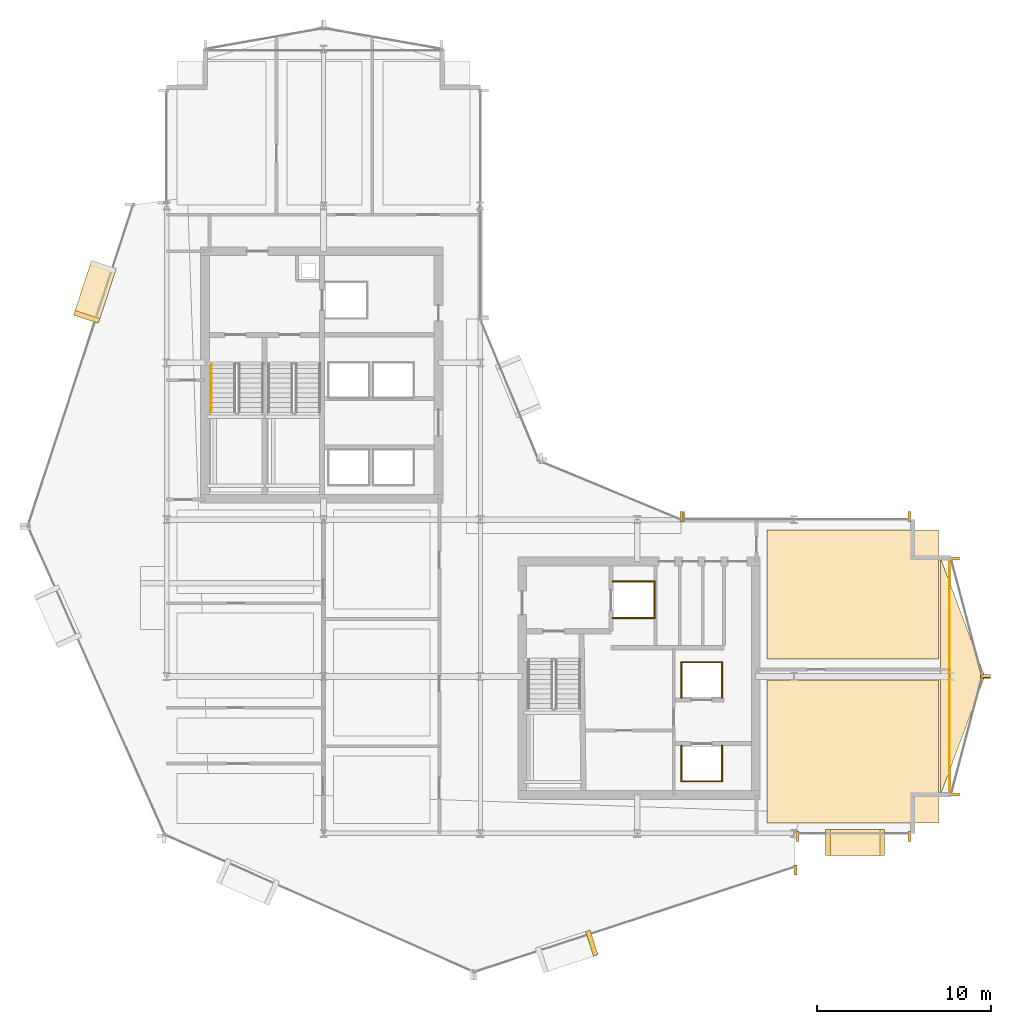
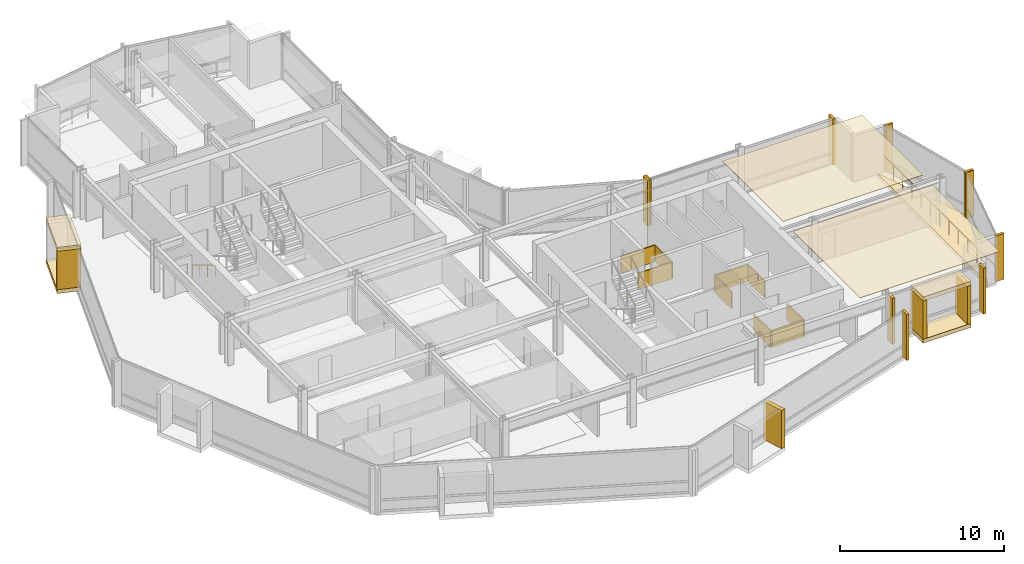
# One storey, part 27 of 28: 30 coverings, 2 railings.
"""IFC4 building model written with IfcOpenShell, lengths in metres."""

from ifc_helpers import new_model, si_unit, direction, frame, origin, origin_2d, place, context, subcontext, project, spatial, polyline, rectangle, circle, outline, extrude, material, layer, layer_set, type_object, element, save


model = new_model("IFC4")

# Units and contexts
model_context = context("Model", 3, precision=1e-05, world=origin(), true_north=direction((0.0, 1.0)))
body_context = subcontext(model_context, "Body", "Model", "MODEL_VIEW")
ifc_project = project(units=[si_unit("LENGTHUNIT", "METRE"), si_unit("AREAUNIT", "SQUARE_METRE"), si_unit("VOLUMEUNIT", "CUBIC_METRE"), si_unit("PLANEANGLEUNIT", "RADIAN"), si_unit("MASSUNIT", "GRAM", prefix="KILO")], contexts=[model_context])

# Site, building, storey
site_placement = place(None, origin())
site = spatial("IfcSite", under=ifc_project, at=site_placement, CompositionType="ELEMENT")
building_placement = place(site_placement, origin())
building = spatial("IfcBuilding", under=site, at=building_placement, Name="Solvaryn Broadcast Tower", CompositionType="ELEMENT")
storey_placement = place(building_placement, frame((0.0, 0.0, 132.199951171875)))
storey = spatial("IfcBuildingStorey", under=building, at=storey_placement, Name="L32", CompositionType="ELEMENT", Elevation=132.199951171875)

# Coverings
ifc_material_1 = material(Name="Micro-Perforated Acoustic Gypsum Ceiling", Category="concrete")
ifc_layer_1 = layer(ifc_material_1, 0.0400390625)
ifc_layer_set_1 = layer_set([ifc_layer_1], Name="CV-CEIL-ACOUSTIC")
covering_type_1 = type_object("IfcCoveringType", Name="CV-CEIL-ACOUSTIC", PredefinedType="CEILING", material=ifc_layer_set_1)
covering_1_placement = place(storey_placement, frame((0.0, 0.0, 3.380126953125)))
element("IfcCovering", 1, at=covering_1_placement, inside=storey, type_object=covering_type_1, Name="L32 Room Acoustic Ceiling 11", PredefinedType="CEILING", context=body_context, shape_type="SweptSolid", body=[
    extrude(outline(polyline([(43.449951171875, 9.60009765625), (53.300048828125, 9.60009765625), (53.300048828125, 17.800048828125), (43.449951171875, 17.800048828125), (43.449951171875, 9.60009765625)])), origin(), (0.0, 0.0, 1.0), 0.0400390625),
])
covering_2_placement = place(storey_placement, frame((0.0, 0.0, 3.380126953125)))
element("IfcCovering", 2, at=covering_2_placement, inside=storey, type_object=covering_type_1, Name="L32 Room Acoustic Ceiling 12", PredefinedType="CEILING", context=body_context, shape_type="SweptSolid", body=[
    extrude(outline(polyline([(43.449951171875, 19.0), (53.300048828125, 19.0), (53.300048828125, 26.39990234375), (43.449951171875, 26.39990234375), (43.449951171875, 19.0)])), origin(), (0.0, 0.0, 1.0), 0.0400390625),
])
ifc_material_2 = material(Name="Fire-Rated Gypsum Shaftwall Liner", Category="concrete")
ifc_layer_2 = layer(ifc_material_2, 0.080078125)
ifc_layer_set_2 = layer_set([ifc_layer_2], Name="CV-SHAFT-LINER")
covering_type_2 = type_object("IfcCoveringType", Name="CV-SHAFT-LINER", PredefinedType="CLADDING", material=ifc_layer_set_2)
for number, where, z_axis, x_axis, name in (
    (3, (35.800048828125, 23.43994140625, 0.0), (0.0, 0.0, 1.0), (1.0, 0.0, 0.0), "L32 FL2 Hoistway Shaft Liner North"),
    (4, (35.800048828125, 21.360107421875, 0.0), (0.0, 0.0, 1.0), (1.0, 0.0, 0.0), "L32 FL2 Hoistway Shaft Liner South"),
):
    element("IfcCovering", number, at=place(storey_placement, frame(where, z_axis=z_axis, x_axis=x_axis)), inside=storey, type_object=covering_type_2, Name=name, PredefinedType="CLADDING", context=body_context, shape_type="SweptSolid", body=[
        extrude(rectangle(XDim=2.4599609375, YDim=0.080078125, at=origin_2d()), origin(), (0.0, 0.0, 1.0), 1.25),
    ])
covering_3_placement = place(storey_placement, frame((36.989990234375, 22.39990234375, 0.0), z_axis=(0.0, 0.0, 1.0), x_axis=(1.0, 0.0, 0.0)))
element("IfcCovering", 5, at=covering_3_placement, inside=storey, type_object=covering_type_2, Name="L32 FL2 Hoistway Shaft Liner East", PredefinedType="CLADDING", context=body_context, shape_type="SweptSolid", body=[
    extrude(rectangle(XDim=0.080078125, YDim=2.159912109375, at=origin_2d()), origin(), (0.0, 0.0, 1.0), 1.25),
])
covering_4_placement = place(storey_placement, frame((39.699951171875, 11.985107421875, 0.0), z_axis=(0.0, 0.0, 1.0), x_axis=(1.0, 0.0, 0.0)))
element("IfcCovering", 6, at=covering_4_placement, inside=storey, type_object=covering_type_2, Name="L32 PM1 Hoistway Shaft Liner South", PredefinedType="CLADDING", context=body_context, shape_type="SweptSolid", body=[
    extrude(rectangle(XDim=2.409912109375, YDim=0.080078125, at=origin_2d()), origin(), (0.0, 0.0, 1.0), 1.25),
])
for number, where, z_axis, x_axis, name in (
    (7, (40.864990234375, 13.0, 0.0), (0.0, 0.0, 1.0), (1.0, 0.0, 0.0), "L32 PM1 Hoistway Shaft Liner East"),
    (8, (38.534912109375, 13.0, 0.0), (0.0, 0.0, 1.0), (1.0, 0.0, 0.0), "L32 PM1 Hoistway Shaft Liner West"),
):
    element("IfcCovering", number, at=place(storey_placement, frame(where, z_axis=z_axis, x_axis=x_axis)), inside=storey, type_object=covering_type_2, Name=name, PredefinedType="CLADDING", context=body_context, shape_type="SweptSolid", body=[
        extrude(rectangle(XDim=0.080078125, YDim=2.110107421875, at=origin_2d()), origin(), (0.0, 0.0, 1.0), 1.25),
    ])
covering_5_placement = place(storey_placement, frame((39.699951171875, 18.81494140625, 0.0), z_axis=(0.0, 0.0, 1.0), x_axis=(1.0, 0.0, 0.0)))
element("IfcCovering", 9, at=covering_5_placement, inside=storey, type_object=covering_type_2, Name="L32 PM2 Hoistway Shaft Liner North", PredefinedType="CLADDING", context=body_context, shape_type="SweptSolid", body=[
    extrude(rectangle(XDim=2.409912109375, YDim=0.080078125, at=origin_2d()), origin(), (0.0, 0.0, 1.0), 1.25),
])
for number, where, z_axis, x_axis, name in (
    (10, (40.864990234375, 17.800048828125, 0.0), (0.0, 0.0, 1.0), (1.0, 0.0, 0.0), "L32 PM2 Hoistway Shaft Liner East"),
    (11, (38.534912109375, 17.800048828125, 0.0), (0.0, 0.0, 1.0), (1.0, 0.0, 0.0), "L32 PM2 Hoistway Shaft Liner West"),
):
    element("IfcCovering", number, at=place(storey_placement, frame(where, z_axis=z_axis, x_axis=x_axis)), inside=storey, type_object=covering_type_2, Name=name, PredefinedType="CLADDING", context=body_context, shape_type="SweptSolid", body=[
        extrude(rectangle(XDim=0.080078125, YDim=2.110107421875, at=origin_2d()), origin(), (0.0, 0.0, 1.0), 1.25),
    ])
ifc_material_3 = material(Name="Glazed Architectural Terracotta Rainscreen Cladding", Category="masonry")
ifc_layer_3 = layer(ifc_material_3, 0.280029296875)
ifc_layer_set_3 = layer_set([ifc_layer_3], Name="CV-TC-CLAD")
covering_type_3 = type_object("IfcCoveringType", Name="CV-TC-CLAD", PredefinedType="CLADDING", material=ifc_layer_set_3)
for number, where, z_axis, x_axis, name in (
    (12, (4.883056640625, 40.071044921875, 3.1298828125), (0.0, 0.0, 1.0), (-0.311671636848, -0.950189870912, 0.0), "L32 Projecting Stone Window Box Hood 1"),
    (13, (4.883056640625, 40.071044921875, -0.009765625), (0.0, 0.0, 1.0), (-0.311671636848, -0.950189870912, 0.0), "L32 Projecting Stone Window Box Sill 1"),
):
    element("IfcCovering", number, at=place(storey_placement, frame(where, z_axis=z_axis, x_axis=x_axis)), inside=storey, type_object=covering_type_3, Name=name, PredefinedType="CLADDING", context=body_context, shape_type="SweptSolid", body=[
        extrude(rectangle(XDim=3.300048828125, YDim=1.5, at=origin_2d()), origin(), (0.0, 0.0, 1.0), 0.300048828125),
    ])
for number, where, z_axis, x_axis, name in (
    (14, (4.412353515625, 38.63623046875, 0.27978515625), (0.0, 0.0, 1.0), (-0.311671636848, -0.950189870912, 0.0), "L32 Projecting Stone Window Box Cheek 1-2"),
    (15, (33.396728515625, 2.693603515625, 0.27978515625), (0.0, 0.0, 1.0), (0.950189870912, 0.311671636848, 0.0), "L32 Projecting Stone Window Box Cheek 4-2"),
):
    element("IfcCovering", number, at=place(storey_placement, frame(where, z_axis=z_axis, x_axis=x_axis)), inside=storey, type_object=covering_type_3, Name=name, PredefinedType="CLADDING", context=body_context, shape_type="SweptSolid", body=[
        extrude(rectangle(XDim=0.280029296875, YDim=1.5, at=origin_2d()), origin(), (0.0, 0.0, 1.0), 2.860107421875),
    ])
for number, where, z_axis, x_axis, name in (
    (16, (48.5, 8.469970703125, 3.1298828125), (0.0, 0.0, 1.0), (1.0, 0.0, 0.0), "L32 Projecting Stone Window Box Hood 6"),
    (17, (48.5, 8.469970703125, -0.009765625), (0.0, 0.0, 1.0), (1.0, 0.0, 0.0), "L32 Projecting Stone Window Box Sill 6"),
):
    element("IfcCovering", number, at=place(storey_placement, frame(where, z_axis=z_axis, x_axis=x_axis)), inside=storey, type_object=covering_type_3, Name=name, PredefinedType="CLADDING", context=body_context, shape_type="SweptSolid", body=[
        extrude(rectangle(XDim=3.39990234375, YDim=1.5, at=origin_2d()), origin(), (0.0, 0.0, 1.0), 0.300048828125),
    ])
for number, where, z_axis, x_axis, name in (
    (18, (46.93994140625, 8.469970703125, 0.27978515625), (0.0, 0.0, 1.0), (1.0, 0.0, 0.0), "L32 Projecting Stone Window Box Cheek 6-1"),
    (19, (50.06005859375, 8.469970703125, 0.27978515625), (0.0, 0.0, 1.0), (1.0, 0.0, 0.0), "L32 Projecting Stone Window Box Cheek 6-2"),
):
    element("IfcCovering", number, at=place(storey_placement, frame(where, z_axis=z_axis, x_axis=x_axis)), inside=storey, type_object=covering_type_3, Name=name, PredefinedType="CLADDING", context=body_context, shape_type="SweptSolid", body=[
        extrude(rectangle(XDim=0.280029296875, YDim=1.5, at=origin_2d()), origin(), (0.0, 0.0, 1.0), 2.860107421875),
    ])
ifc_material_4 = material(Name="Extruded Architectural Terracotta Fin", Category="masonry")
ifc_layer_4 = layer(ifc_material_4, 0.179931640625)
ifc_layer_set_4 = layer_set([ifc_layer_4], Name="CV-TC-FIN")
covering_type_4 = type_object("IfcCoveringType", Name="CV-TC-FIN", PredefinedType="USERDEFINED", material=ifc_layer_set_4)
for number, where, z_axis, x_axis, name in (
    (20, (45.0947265625, 6.898681640625, 0.0), (0.0, 0.0, 1.0), (1.0, 0.0, 0.0), "L32 Terracotta Vertical Fin FIN-L32-DR4-M01"),
    (21, (38.541259765625, 27.177978515625, 0.0), (0.0, 0.0, 1.0), (1.0, 0.0, 0.0), "L32 Terracotta Vertical Fin FIN-L32-CN1-M00"),
    (22, (45.197021484375, 8.8125, 0.0), (0.0, 0.0, 1.0), (1.0, 0.0, 0.0), "L32 Terracotta Vertical Fin FIN-L32-S2-M00"),
    (23, (51.6201171875, 8.8125, 0.0), (0.0, 0.0, 1.0), (1.0, 0.0, 0.0), "L32 Terracotta Vertical Fin FIN-L32-S2-M01"),
):
    element("IfcCovering", number, at=place(storey_placement, frame(where, z_axis=z_axis, x_axis=x_axis)), inside=storey, type_object=covering_type_4, Name=name, ObjectType="FIN", PredefinedType="USERDEFINED", context=body_context, shape_type="SweptSolid", body=[
        extrude(rectangle(XDim=0.179931640625, YDim=0.580078125, at=origin_2d()), origin(), (0.0, 0.0, 1.0), 3.419921875),
    ])
for number, where, z_axis, x_axis, name in (
    (24, (54.1953125, 24.77099609375, 0.0), (0.0, 0.0, 1.0), (1.0, 0.0, 0.0), "L32 Terracotta Vertical Fin FIN-L32-ET1-M00"),
    (25, (55.979736328125, 18.029052734375, 0.0), (0.0, 0.0, 1.0), (1.0, 0.0, 0.0), "L32 Terracotta Vertical Fin FIN-L32-ET1-M01"),
    (26, (55.979736328125, 17.970947265625, 0.0), (0.0, 0.0, 1.0), (1.0, 0.0, 0.0), "L32 Terracotta Vertical Fin FIN-L32-ET2-M00"),
    (27, (54.1953125, 11.22900390625, 0.0), (0.0, 0.0, 1.0), (1.0, 0.0, 0.0), "L32 Terracotta Vertical Fin FIN-L32-ET2-M01"),
):
    element("IfcCovering", number, at=place(storey_placement, frame(where, z_axis=z_axis, x_axis=x_axis)), inside=storey, type_object=covering_type_4, Name=name, ObjectType="FIN", PredefinedType="USERDEFINED", context=body_context, shape_type="SweptSolid", body=[
        extrude(rectangle(XDim=0.580078125, YDim=0.179931640625, at=origin_2d()), origin(), (0.0, 0.0, 1.0), 3.419921875),
    ])
for number, where, z_axis, x_axis, name in (
    (28, (38.6298828125, 27.1875, 0.0), (0.0, 0.0, 1.0), (1.0, 0.0, 0.0), "L32 Terracotta Vertical Fin FIN-L32-IH-M00"),
    (29, (51.6201171875, 27.1875, 0.0), (0.0, 0.0, 1.0), (1.0, 0.0, 0.0), "L32 Terracotta Vertical Fin FIN-L32-IH-M01"),
):
    element("IfcCovering", number, at=place(storey_placement, frame(where, z_axis=z_axis, x_axis=x_axis)), inside=storey, type_object=covering_type_4, Name=name, ObjectType="FIN", PredefinedType="USERDEFINED", context=body_context, shape_type="SweptSolid", body=[
        extrude(rectangle(XDim=0.179931640625, YDim=0.580078125, at=origin_2d()), origin(), (0.0, 0.0, 1.0), 3.419921875),
    ])
ifc_material_5 = material(Name="Sculpted Architectural Terracotta Wave Fascia", Category="masonry")
ifc_layer_5 = layer(ifc_material_5, 0.340087890625)
ifc_layer_set_5 = layer_set([ifc_layer_5], Name="CV-WAVE-TRAY")
covering_type_5 = type_object("IfcCoveringType", Name="CV-WAVE-TRAY", PredefinedType="CLADDING", material=ifc_layer_set_5)
covering_6_placement = place(storey_placement, frame((0.0, 0.0, -0.300048828125)))
element("IfcCovering", 30, at=covering_6_placement, inside=storey, type_object=covering_type_5, Name="L32 East Curved Wing Deck", PredefinedType="CLADDING", context=body_context, shape_type="SweptSolid", body=[
    extrude(outline(polyline([(53.39990234375, 11.199951171875), (55.949951171875, 18.0), (53.39990234375, 24.800048828125), (53.39990234375, 11.199951171875)])), origin(), (0.0, 0.0, 1.0), 0.330078125),
])

# Railings
ifc_material_6 = material(Name="Brushed Stainless Steel Tubular Handrail", Category="steel")
railing_type_1 = type_object("IfcRailingType", Name="RL-STAIR-HANDRAIL", PredefinedType="HANDRAIL", material=ifc_material_6)
railing_1_placement = place(storey_placement, frame((11.570068359375, 35.9599609375, 0.168212890625)))
element("IfcRailing", 31, at=railing_1_placement, inside=storey, type_object=railing_type_1, Name="L32 ST1 stair handrail 1", PredefinedType="HANDRAIL", context=body_context, shape_type="SweptSolid", body=[
    extrude(circle(Radius=0.02392578125, at=origin_2d()), frame((0.0, 0.0, 0.8759765625), z_axis=(0.0, -0.857242210791, 0.514913383045), x_axis=(1.0, 0.0, 0.0)), (0.0, 0.0, 1.0), 3.266357421875),
    extrude(circle(Radius=0.02099609375, at=origin_2d()), origin(), (0.0, 0.0, 1.0), 0.851806640625),
    extrude(circle(Radius=0.02099609375, at=origin_2d()), frame((0.0, -0.933349609375, 0.560546875)), (0.0, 0.0, 1.0), 0.851806640625),
    extrude(circle(Radius=0.02099609375, at=origin_2d()), frame((0.0, -1.86669921875, 1.121337890625)), (0.0, 0.0, 1.0), 0.851806640625),
    extrude(circle(Radius=0.02099609375, at=origin_2d()), frame((0.0, -2.800048828125, 1.681884765625)), (0.0, 0.0, 1.0), 0.851806640625),
])
ifc_material_7 = material(Name="Stainless Steel and Laminated Glass Guard", Category="steel")
railing_type_2 = type_object("IfcRailingType", Name="RL-TER-1150", PredefinedType="BALUSTRADE", material=ifc_material_7)
railing_2_placement = place(storey_placement, frame((53.919921875, 11.199951171875, 0.0)))
element("IfcRailing", 32, at=railing_2_placement, inside=storey, type_object=railing_type_2, Name="L32 East Wing Spandrel Edge Guard", PredefinedType="BALUSTRADE", context=body_context, shape_type="SweptSolid", body=[
    extrude(circle(Radius=0.02392578125, at=origin_2d()), frame((0.0, 0.0, 1.1259765625), z_axis=(0.0, 1.0, 0.0), x_axis=(-1.0, 0.0, 0.0)), (0.0, 0.0, 1.0), 13.60009765625),
    extrude(circle(Radius=0.02099609375, at=origin_2d()), origin(), (0.0, 0.0, 1.0), 1.101806640625),
    extrude(circle(Radius=0.02099609375, at=origin_2d()), frame((0.0, 1.13330078125, 0.0)), (0.0, 0.0, 1.0), 1.101806640625),
    extrude(circle(Radius=0.02099609375, at=origin_2d()), frame((0.0, 2.2666015625, 0.0)), (0.0, 0.0, 1.0), 1.101806640625),
    extrude(circle(Radius=0.02099609375, at=origin_2d()), frame((0.0, 3.39990234375, 0.0)), (0.0, 0.0, 1.0), 1.101806640625),
    extrude(circle(Radius=0.02099609375, at=origin_2d()), frame((0.0, 4.533447265625, 0.0)), (0.0, 0.0, 1.0), 1.101806640625),
    extrude(circle(Radius=0.02099609375, at=origin_2d()), frame((0.0, 5.666748046875, 0.0)), (0.0, 0.0, 1.0), 1.101806640625),
    extrude(circle(Radius=0.02099609375, at=origin_2d()), frame((0.0, 6.800048828125, 0.0)), (0.0, 0.0, 1.0), 1.101806640625),
    extrude(circle(Radius=0.02099609375, at=origin_2d()), frame((0.0, 7.933349609375, 0.0)), (0.0, 0.0, 1.0), 1.101806640625),
    extrude(circle(Radius=0.02099609375, at=origin_2d()), frame((0.0, 9.066650390625, 0.0)), (0.0, 0.0, 1.0), 1.101806640625),
    extrude(circle(Radius=0.02099609375, at=origin_2d()), frame((0.0, 10.2001953125, 0.0)), (0.0, 0.0, 1.0), 1.101806640625),
    extrude(circle(Radius=0.02099609375, at=origin_2d()), frame((0.0, 11.33349609375, 0.0)), (0.0, 0.0, 1.0), 1.101806640625),
    extrude(circle(Radius=0.02099609375, at=origin_2d()), frame((0.0, 12.466796875, 0.0)), (0.0, 0.0, 1.0), 1.101806640625),
    extrude(circle(Radius=0.02099609375, at=origin_2d()), frame((0.0, 13.60009765625, 0.0)), (0.0, 0.0, 1.0), 1.101806640625),
])

save(model, "model.ifc")
